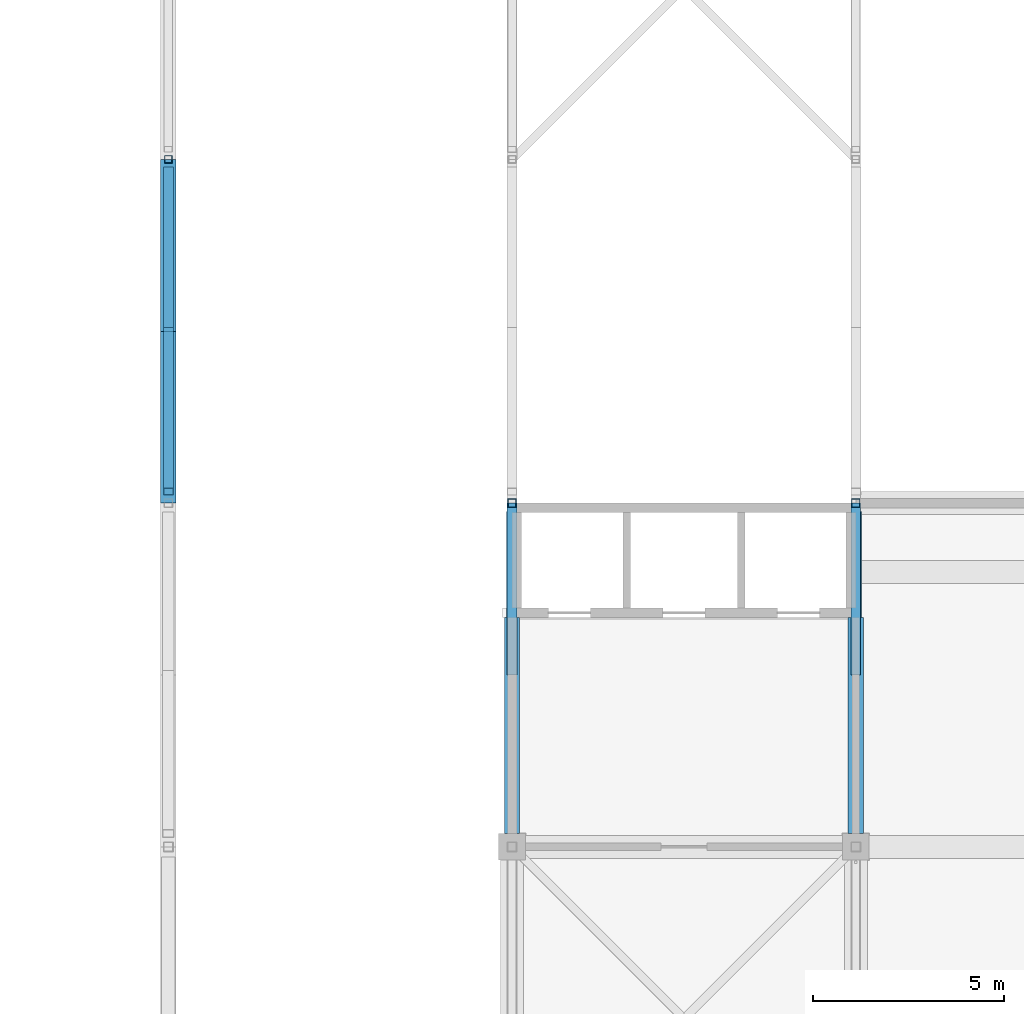
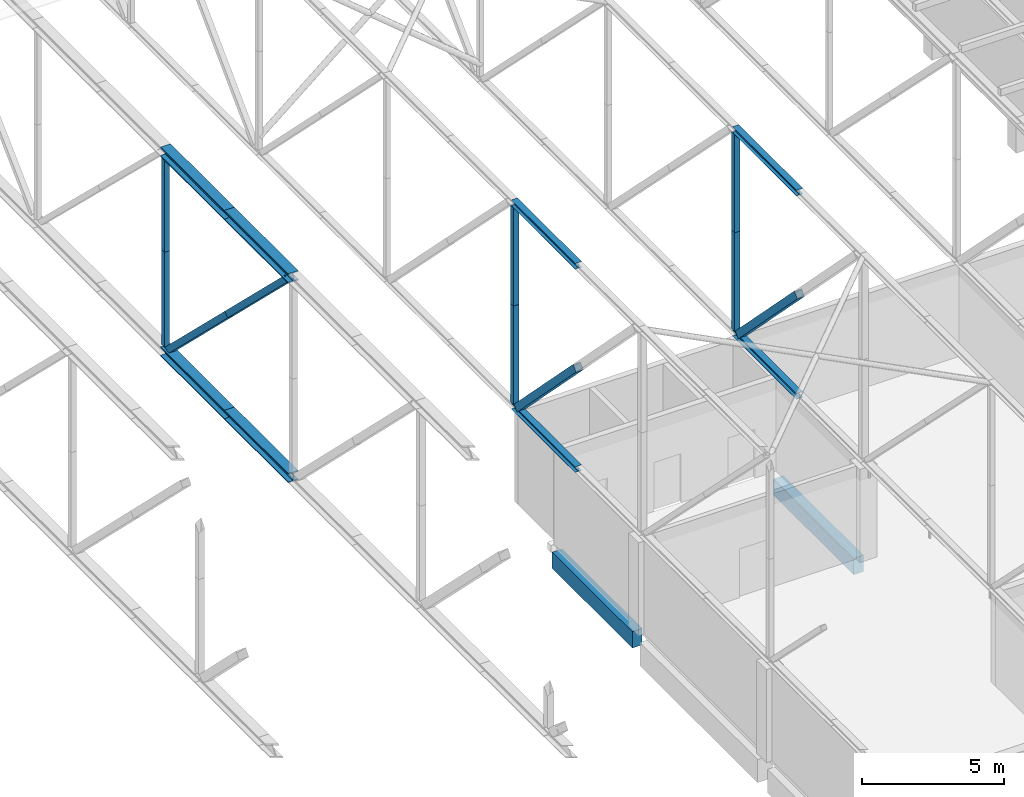
# One storey, part 48 of 646: 18 members, 2 beams.
"""IFC4 building model written with IfcOpenShell, lengths in metres."""

from ifc_helpers import new_model, si_unit, direction, frame, origin, origin_2d, place, context, subcontext, project, spatial, rectangle, hollow_rectangle, i_section, extrude, material, material_profile, profile_set, type_object, element, save


model = new_model("IFC4")

# Units and contexts
model_context = context("Model", 3, precision=1e-05, world=origin(), true_north=direction((0.0, 1.0)))
body_context = subcontext(model_context, "Body", "Model", "MODEL_VIEW")
ifc_project = project(units=[si_unit("LENGTHUNIT", "METRE"), si_unit("AREAUNIT", "SQUARE_METRE"), si_unit("VOLUMEUNIT", "CUBIC_METRE"), si_unit("PLANEANGLEUNIT", "RADIAN"), si_unit("MASSUNIT", "GRAM", prefix="KILO")], contexts=[model_context])

# Site, building, storey
site_placement = place(None, origin())
site = spatial("IfcSite", under=ifc_project, at=site_placement, CompositionType="ELEMENT")
building_placement = place(site_placement, origin())
building = spatial("IfcBuilding", under=site, at=building_placement, Name="Silverbay Arena", CompositionType="ELEMENT")
storey_placement = place(building_placement, frame((0.0, 0.0, 33.5)))
storey = spatial("IfcBuildingStorey", under=building, at=storey_placement, Name="L05", CompositionType="ELEMENT", Elevation=33.5)

# Members
ifc_material_1 = material(Name="Steel S355", Category="steel")
ifc_material_profile_1 = material_profile(ifc_material_1, i_section(OverallWidth=0.403076171875, OverallDepth=0.406494140625, WebThickness=0.026611328125, FlangeThickness=0.04296875, at=origin_2d()), Name="UC 356x406x340")
ifc_profile_set_1 = profile_set([ifc_material_profile_1], Name="Steel S355")
member_type_1 = type_object("IfcMemberType", Name="Main-span bottom chord UC 356x406x340", PredefinedType="CHORD", material=ifc_profile_set_1)
for number, where, z_axis, x_axis, name in (
    (1, (153.0, 63.0, 4.203125), (0.0, 1.0, 0.0), (-1.0, 0.0, 0.0), "ROOF TRUSS 18 bottom chord 07a"),
    (2, (153.0, 67.5, 4.203125), (0.0, 1.0, 0.0), (-1.0, 0.0, 0.0), "ROOF TRUSS 18 bottom chord 07b"),
):
    element("IfcMember", number, at=place(storey_placement, frame(where, z_axis=z_axis, x_axis=x_axis)), inside=storey, type_object=member_type_1, Name=name, PredefinedType="CHORD", context=body_context, shape_type="SweptSolid", body=[
        extrude(i_section(OverallWidth=0.403076171875, OverallDepth=0.406494140625, WebThickness=0.026611328125, FlangeThickness=0.04296875, at=origin_2d()), origin(), (0.0, 0.0, 1.0), 4.5),
    ])
ifc_material_2 = material(Name="Steel S355", Category="steel")
ifc_material_profile_2 = material_profile(ifc_material_2, i_section(OverallWidth=0.406982421875, OverallDepth=0.4189453125, WebThickness=0.030517578125, FlangeThickness=0.04931640625, at=origin_2d()), Name="UC 356x406x393")
ifc_profile_set_2 = profile_set([ifc_material_profile_2], Name="Steel S355")
member_type_2 = type_object("IfcMemberType", Name="Main-span top chord UC 356x406x393", PredefinedType="CHORD", material=ifc_profile_set_2)
for number, where, z_axis, x_axis, name in (
    (3, (153.0, 63.0, 12.79052734375), (0.0, 1.0, 0.0), (-1.0, 0.0, 0.0), "ROOF TRUSS 18 top chord 07a"),
    (4, (153.0, 67.5, 12.79052734375), (0.0, 1.0, 0.0), (-1.0, 0.0, 0.0), "ROOF TRUSS 18 top chord 07b"),
):
    element("IfcMember", number, at=place(storey_placement, frame(where, z_axis=z_axis, x_axis=x_axis)), inside=storey, type_object=member_type_2, Name=name, PredefinedType="CHORD", context=body_context, shape_type="SweptSolid", body=[
        extrude(i_section(OverallWidth=0.406982421875, OverallDepth=0.4189453125, WebThickness=0.030517578125, FlangeThickness=0.04931640625, at=origin_2d()), origin(), (0.0, 0.0, 1.0), 4.5),
    ])
ifc_material_3 = material(Name="Steel S355", Category="steel")
ifc_material_profile_3 = material_profile(ifc_material_3, hollow_rectangle(XDim=0.260009765625, YDim=0.260009765625, WallThickness=0.012451171875, at=origin_2d()), Name="SHS 260x260x12.5")
ifc_profile_set_3 = profile_set([ifc_material_profile_3], Name="Steel S355")
member_type_3 = type_object("IfcMemberType", Name="Main-span truss diagonal SHS 260x260x12.5", PredefinedType="BRACE", material=ifc_profile_set_3)
for number, where, z_axis, x_axis, name in (
    (5, (153.0, 63.303466796875, 12.5810546875), (0.0, 0.716765314206, -0.697314480239), (-1.0, 0.0, 0.0), "ROOF TRUSS 18 diagonal 07a"),
    (6, (153.0, 67.5048828125, 8.49365234375), (0.0, 0.716806382858, -0.697272263534), (-1.0, 0.0, 0.0), "ROOF TRUSS 18 diagonal 07b"),
):
    element("IfcMember", number, at=place(storey_placement, frame(where, z_axis=z_axis, x_axis=x_axis)), inside=storey, type_object=member_type_3, Name=name, PredefinedType="BRACE", context=body_context, shape_type="SweptSolid", body=[
        extrude(hollow_rectangle(XDim=0.260009765625, YDim=0.260009765625, WallThickness=0.012451171875, at=origin_2d()), origin(), (0.0, 0.0, 1.0), 5.861572265625),
    ])
ifc_material_4 = material(Name="Steel S355", Category="steel")
ifc_material_profile_4 = material_profile(ifc_material_4, hollow_rectangle(XDim=0.199951171875, YDim=0.199951171875, WallThickness=0.008056640625, at=origin_2d()), Name="SHS 200x200x8")
ifc_profile_set_4 = profile_set([ifc_material_profile_4], Name="Steel S355")
member_type_4 = type_object("IfcMemberType", Name="Main-span truss vertical SHS 200x200x8", PredefinedType="STRUT", material=ifc_profile_set_4)
member_1_placement = place(storey_placement, frame((153.0, 72.0, 4.406494140625), z_axis=(0.0, 0.0, 1.0), x_axis=(1.0, 0.0, 0.0)))
element("IfcMember", 7, at=member_1_placement, inside=storey, type_object=member_type_4, Name="ROOF TRUSS 18 vertical 08a", PredefinedType="STRUT", context=body_context, shape_type="SweptSolid", body=[
    extrude(hollow_rectangle(XDim=0.199951171875, YDim=0.199951171875, WallThickness=0.008056640625, at=origin_2d()), origin(), (0.0, 0.0, 1.0), 4.087158203125),
])
member_2_placement = place(storey_placement, frame((153.0, 72.0, 8.49365234375), z_axis=(0.0, 0.0, 1.0), x_axis=(1.0, 0.0, 0.0)))
element("IfcMember", 8, at=member_2_placement, inside=storey, type_object=member_type_4, Name="ROOF TRUSS 18 vertical 08b", PredefinedType="STRUT", context=body_context, shape_type="SweptSolid", body=[
    extrude(hollow_rectangle(XDim=0.199951171875, YDim=0.199951171875, WallThickness=0.008056640625, at=origin_2d()), origin(), (0.0, 0.0, 1.0), 4.08740234375),
])
ifc_material_5 = material(Name="Steel S355", Category="steel")
ifc_material_profile_5 = material_profile(ifc_material_5, i_section(OverallWidth=0.254638671875, OverallDepth=0.254150390625, WebThickness=0.008544921875, FlangeThickness=0.01416015625, at=origin_2d()), Name="UC 254x254x73")
ifc_profile_set_5 = profile_set([ifc_material_profile_5], Name="Steel S355")
member_type_5 = type_object("IfcMemberType", Name="Medium-span bottom chord UC 254x254x73", PredefinedType="CHORD", material=ifc_profile_set_5)
for number, where, z_axis, x_axis, name in (
    (9, (162.0, 58.5, 4.126953125), (0.0, 1.0, 0.0), (-1.0, 0.0, 0.0), "ROOF TRUSS 19 bottom chord 06b"),
    (10, (171.0, 58.5, 4.126953125), (0.0, 1.0, 0.0), (-1.0, 0.0, 0.0), "ROOF TRUSS 20 bottom chord 06b"),
):
    element("IfcMember", number, at=place(storey_placement, frame(where, z_axis=z_axis, x_axis=x_axis)), inside=storey, type_object=member_type_5, Name=name, PredefinedType="CHORD", context=body_context, shape_type="SweptSolid", body=[
        extrude(i_section(OverallWidth=0.254638671875, OverallDepth=0.254150390625, WebThickness=0.008544921875, FlangeThickness=0.01416015625, at=origin_2d()), origin(), (0.0, 0.0, 1.0), 4.5),
    ])
ifc_material_6 = material(Name="Steel S355", Category="steel")
ifc_material_profile_6 = material_profile(ifc_material_6, i_section(OverallWidth=0.254638671875, OverallDepth=0.254150390625, WebThickness=0.008544921875, FlangeThickness=0.01416015625, at=origin_2d()), Name="UC 254x254x73")
ifc_profile_set_6 = profile_set([ifc_material_profile_6], Name="Steel S355")
member_type_6 = type_object("IfcMemberType", Name="Medium-span top chord UC 254x254x73", PredefinedType="CHORD", material=ifc_profile_set_6)
for number, where, z_axis, x_axis, name in (
    (11, (162.0, 58.5, 12.873046875), (0.0, 1.0, 0.0), (-1.0, 0.0, 0.0), "ROOF TRUSS 19 top chord 06b"),
    (12, (171.0, 58.5, 12.873046875), (0.0, 1.0, 0.0), (-1.0, 0.0, 0.0), "ROOF TRUSS 20 top chord 06b"),
):
    element("IfcMember", number, at=place(storey_placement, frame(where, z_axis=z_axis, x_axis=x_axis)), inside=storey, type_object=member_type_6, Name=name, PredefinedType="CHORD", context=body_context, shape_type="SweptSolid", body=[
        extrude(i_section(OverallWidth=0.254638671875, OverallDepth=0.254150390625, WebThickness=0.008544921875, FlangeThickness=0.01416015625, at=origin_2d()), origin(), (0.0, 0.0, 1.0), 4.5),
    ])
ifc_material_7 = material(Name="Steel S355", Category="steel")
ifc_material_profile_7 = material_profile(ifc_material_7, hollow_rectangle(XDim=0.300048828125, YDim=0.300048828125, WallThickness=0.012451171875, at=origin_2d()), Name="SHS 300x300x12.5")
ifc_profile_set_7 = profile_set([ifc_material_profile_7], Name="Steel S355")
member_type_7 = type_object("IfcMemberType", Name="Medium-span truss diagonal SHS 300x300x12.5", PredefinedType="BRACE", material=ifc_profile_set_7)
for number, where, z_axis, x_axis, name in (
    (13, (162.0, 58.507568359375, 8.5), (0.0, 0.700176070598, -0.713970216579), (-1.0, 0.0, 0.0), "ROOF TRUSS 19 diagonal 06b"),
    (14, (171.0, 58.507568359375, 8.5), (0.0, 0.700176070598, -0.713970216579), (-1.0, 0.0, 0.0), "ROOF TRUSS 20 diagonal 06b"),
):
    element("IfcMember", number, at=place(storey_placement, frame(where, z_axis=z_axis, x_axis=x_axis)), inside=storey, type_object=member_type_7, Name=name, PredefinedType="BRACE", context=body_context, shape_type="SweptSolid", body=[
        extrude(hollow_rectangle(XDim=0.300048828125, YDim=0.300048828125, WallThickness=0.012451171875, at=origin_2d()), origin(), (0.0, 0.0, 1.0), 5.94677734375),
    ])
ifc_material_8 = material(Name="Steel S355", Category="steel")
ifc_material_profile_8 = material_profile(ifc_material_8, hollow_rectangle(XDim=0.219970703125, YDim=0.219970703125, WallThickness=0.008056640625, at=origin_2d()), Name="SHS 220x220x8")
ifc_profile_set_8 = profile_set([ifc_material_profile_8], Name="Steel S355")
member_type_8 = type_object("IfcMemberType", Name="Medium-span truss vertical SHS 220x220x8", PredefinedType="STRUT", material=ifc_profile_set_8)
member_3_placement = place(storey_placement, frame((162.0, 63.0, 4.254150390625), z_axis=(0.0, 0.0, 1.0), x_axis=(1.0, 0.0, 0.0)))
element("IfcMember", 15, at=member_3_placement, inside=storey, type_object=member_type_8, Name="ROOF TRUSS 19 vertical 07a", PredefinedType="STRUT", context=body_context, shape_type="SweptSolid", body=[
    extrude(hollow_rectangle(XDim=0.219970703125, YDim=0.219970703125, WallThickness=0.008056640625, at=origin_2d()), origin(), (0.0, 0.0, 1.0), 4.239501953125),
])
member_4_placement = place(storey_placement, frame((162.0, 63.0, 8.49365234375), z_axis=(0.0, 0.0, 1.0), x_axis=(1.0, 0.0, 0.0)))
element("IfcMember", 16, at=member_4_placement, inside=storey, type_object=member_type_8, Name="ROOF TRUSS 19 vertical 07b", PredefinedType="STRUT", context=body_context, shape_type="SweptSolid", body=[
    extrude(hollow_rectangle(XDim=0.219970703125, YDim=0.219970703125, WallThickness=0.008056640625, at=origin_2d()), origin(), (0.0, 0.0, 1.0), 4.23974609375),
])
member_5_placement = place(storey_placement, frame((171.0, 63.0, 4.254150390625), z_axis=(0.0, 0.0, 1.0), x_axis=(1.0, 0.0, 0.0)))
element("IfcMember", 17, at=member_5_placement, inside=storey, type_object=member_type_8, Name="ROOF TRUSS 20 vertical 07a", PredefinedType="STRUT", context=body_context, shape_type="SweptSolid", body=[
    extrude(hollow_rectangle(XDim=0.219970703125, YDim=0.219970703125, WallThickness=0.008056640625, at=origin_2d()), origin(), (0.0, 0.0, 1.0), 4.239501953125),
])
member_6_placement = place(storey_placement, frame((171.0, 63.0, 8.49365234375), z_axis=(0.0, 0.0, 1.0), x_axis=(1.0, 0.0, 0.0)))
element("IfcMember", 18, at=member_6_placement, inside=storey, type_object=member_type_8, Name="ROOF TRUSS 20 vertical 07b", PredefinedType="STRUT", context=body_context, shape_type="SweptSolid", body=[
    extrude(hollow_rectangle(XDim=0.219970703125, YDim=0.219970703125, WallThickness=0.008056640625, at=origin_2d()), origin(), (0.0, 0.0, 1.0), 4.23974609375),
])

# Beams
ifc_material_9 = material(Name="Concrete Grade C45", Category="concrete")
ifc_material_profile_9 = material_profile(ifc_material_9, rectangle(XDim=0.39990234375, YDim=0.699951171875, at=origin_2d()), Name="RC 400x700")
ifc_profile_set_9 = profile_set([ifc_material_profile_9], Name="Concrete Grade C45")
beam_type = type_object("IfcBeamType", Name="RC beam 400x700", PredefinedType="BEAM", material=ifc_profile_set_9)
for number, where, z_axis, x_axis, name in (
    (19, (162.0, 54.35009765625, -0.64990234375), (0.0, 1.0, 0.0), (-1.0, 0.0, 0.0), "Floor beam L05 124"),
    (20, (171.0, 54.35009765625, -0.64990234375), (0.0, 1.0, 0.0), (-1.0, 0.0, 0.0), "Floor beam L05 133"),
):
    element("IfcBeam", number, at=place(storey_placement, frame(where, z_axis=z_axis, x_axis=x_axis)), inside=storey, type_object=beam_type, Name=name, PredefinedType="BEAM", context=body_context, shape_type="SweptSolid", body=[
        extrude(rectangle(XDim=0.39990234375, YDim=0.699951171875, at=origin_2d()), origin(), (0.0, 0.0, 1.0), 5.64990234375),
    ])

save(model, "model.ifc")
